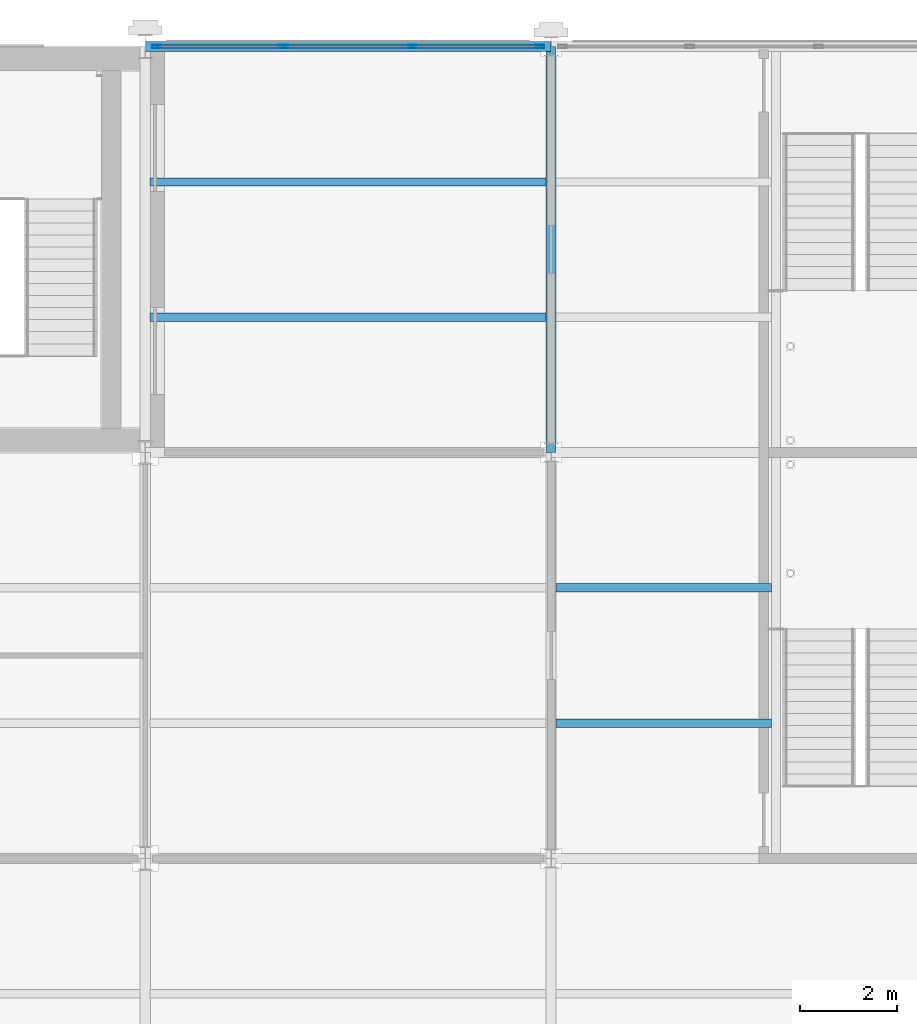
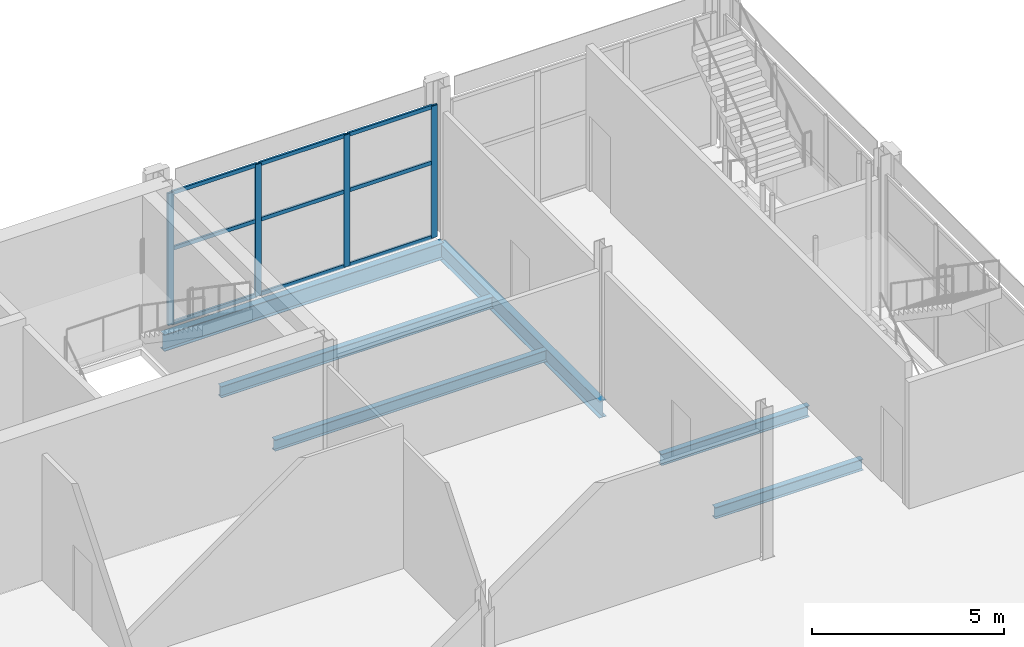
# One storey, part 130 of 167: 13 members, 6 beams, 1 element without a shape of its own.
"""IFC4 building model written with IfcOpenShell, lengths in metres."""

from ifc_helpers import new_model, si_unit, direction, frame, origin, origin_2d, place, context, subcontext, project, spatial, hollow_rectangle, i_section, extrude, material, material_profile, profile_set, type_object, element, aggregate, save


model = new_model("IFC4")

# Units and contexts
model_context = context("Model", 3, precision=1e-05, world=origin(), true_north=direction((0.0, 1.0)))
body_context = subcontext(model_context, "Body", "Model", "MODEL_VIEW")
ifc_project = project(units=[si_unit("LENGTHUNIT", "METRE"), si_unit("AREAUNIT", "SQUARE_METRE"), si_unit("VOLUMEUNIT", "CUBIC_METRE"), si_unit("PLANEANGLEUNIT", "RADIAN"), si_unit("MASSUNIT", "GRAM", prefix="KILO")], contexts=[model_context])

# Site, building, storey
site_placement = place(None, origin())
site = spatial("IfcSite", under=ifc_project, at=site_placement, CompositionType="ELEMENT")
building_placement = place(site_placement, origin())
building = spatial("IfcBuilding", under=site, at=building_placement, Name="Catenary Quay Ferry Terminal", CompositionType="ELEMENT")
storey_placement = place(building_placement, frame((0.0, 0.0, 6.0)))
storey = spatial("IfcBuildingStorey", under=building, at=storey_placement, Name="L01", CompositionType="ELEMENT", Elevation=6.0)

# Beams
ifc_material_1 = material(Name="Steel S355", Category="steel")
ifc_material_profile_1 = material_profile(ifc_material_1, i_section(OverallWidth=0.208740234375, OverallDepth=0.5283203125, WebThickness=0.009521484375, FlangeThickness=0.01318359375, at=origin_2d()), Name="UB 533x210x82")
ifc_profile_set_1 = profile_set([ifc_material_profile_1], Name="Steel S355")
beam_type_1 = type_object("IfcBeamType", Name="B5 UB 533x210x82", PredefinedType="BEAM", material=ifc_profile_set_1)
beam_1_placement = place(storey_placement, frame((50.39990234375, 210.0, -0.464111328125), z_axis=(1.0, 0.0, 0.0), x_axis=(0.0, 1.0, 0.0)))
element("IfcBeam", 1, at=beam_1_placement, inside=storey, type_object=beam_type_1, Name="Beam B5-020", PredefinedType="BEAM", context=body_context, shape_type="SweptSolid", body=[
    extrude(i_section(OverallWidth=0.208740234375, OverallDepth=0.5283203125, WebThickness=0.009521484375, FlangeThickness=0.01318359375, at=origin_2d()), origin(), (0.0, 0.0, 1.0), 8.400146484375),
])
beam_2_placement = place(storey_placement, frame((58.800048828125, 201.60009765625, -0.464111328125), z_axis=(0.0, 1.0, 0.0), x_axis=(-1.0, 0.0, 0.0)))
element("IfcBeam", 2, at=beam_2_placement, inside=storey, type_object=beam_type_1, Name="Beam B5-049", PredefinedType="BEAM", context=body_context, shape_type="SweptSolid", body=[
    extrude(i_section(OverallWidth=0.208740234375, OverallDepth=0.5283203125, WebThickness=0.009521484375, FlangeThickness=0.01318359375, at=origin_2d()), origin(), (0.0, 0.0, 1.0), 8.39990234375),
])
ifc_material_2 = material(Name="Steel S355", Category="steel")
ifc_material_profile_2 = material_profile(ifc_material_2, i_section(OverallWidth=0.169921875, OverallDepth=0.360107421875, WebThickness=0.008056640625, FlangeThickness=0.0126953125, at=origin_2d()), Name="IPE 360")
ifc_profile_set_2 = profile_set([ifc_material_profile_2], Name="Steel S355")
beam_type_2 = type_object("IfcBeamType", Name="B7 IPE 360", PredefinedType="BEAM", material=ifc_profile_set_2)
for number, where, z_axis, x_axis, name in (
    (3, (58.904052734375, 196.0, -0.3798828125), (1.0, 0.0, 0.0), (0.0, 1.0, 0.0), "Beam B7-063"),
    (4, (58.904052734375, 198.800048828125, -0.3798828125), (1.0, 0.0, 0.0), (0.0, 1.0, 0.0), "Beam B7-068"),
):
    element("IfcBeam", number, at=place(storey_placement, frame(where, z_axis=z_axis, x_axis=x_axis)), inside=storey, type_object=beam_type_2, Name=name, PredefinedType="BEAM", context=body_context, shape_type="SweptSolid", body=[
        extrude(i_section(OverallWidth=0.169921875, OverallDepth=0.360107421875, WebThickness=0.008056640625, FlangeThickness=0.0126953125, at=origin_2d()), origin(), (0.0, 0.0, 1.0), 4.450927734375),
    ])
for number, where, z_axis, x_axis, name in (
    (5, (50.50390625, 204.39990234375, -0.3798828125), (1.0, 0.0, 0.0), (0.0, 1.0, 0.0), "Beam B7-069"),
    (6, (50.50390625, 207.199951171875, -0.3798828125), (1.0, 0.0, 0.0), (0.0, 1.0, 0.0), "Beam B7-071"),
):
    element("IfcBeam", number, at=place(storey_placement, frame(where, z_axis=z_axis, x_axis=x_axis)), inside=storey, type_object=beam_type_2, Name=name, PredefinedType="BEAM", context=body_context, shape_type="SweptSolid", body=[
        extrude(i_section(OverallWidth=0.169921875, OverallDepth=0.360107421875, WebThickness=0.008056640625, FlangeThickness=0.0126953125, at=origin_2d()), origin(), (0.0, 0.0, 1.0), 8.192138671875),
    ])

# Curtain wall, members
ifc_material_3 = material(Name="Aluminium and glass", Category="aluminium")
curtain_wall_type = type_object("IfcCurtainWallType", Name="CWW2", PredefinedType="NOTDEFINED", material=ifc_material_3)
curtain_wall_placement = place(storey_placement, origin())
curtain_wall = element("IfcCurtainWall", 7, at=curtain_wall_placement, inside=storey, type_object=curtain_wall_type, Name="Wing curtain wall CW122", PredefinedType="NOTDEFINED")
ifc_material_4 = material(Name="Aluminium", Category="aluminium")
ifc_material_profile_3 = material_profile(ifc_material_4, hollow_rectangle(XDim=0.070068359375, YDim=0.179931640625, WallThickness=0.006103515625, at=origin_2d()), Name="MU3")
ifc_profile_set_3 = profile_set([ifc_material_profile_3], Name="Aluminium")
member_type_1 = type_object("IfcMemberType", Name="MU3", PredefinedType="MULLION", material=ifc_profile_set_3)
member_1_placement = place(storey_placement, frame((50.635009765625, 210.0, 0.0), z_axis=(0.0, 0.0, 1.0), x_axis=(0.0, 1.0, 0.0)))
member_1 = element("IfcMember", 8, at=member_1_placement, type_object=member_type_1, Name="CW122 mullion 1", PredefinedType="MULLION", context=body_context, shape_type="SweptSolid", body=[
    extrude(hollow_rectangle(XDim=0.070068359375, YDim=0.179931640625, WallThickness=0.006103515625, at=origin_2d()), origin(), (0.0, 0.0, 1.0), 4.199951171875),
])
member_2_placement = place(storey_placement, frame((53.2666015625, 210.0, 0.0), z_axis=(0.0, 0.0, 1.0), x_axis=(0.0, 1.0, 0.0)))
member_2 = element("IfcMember", 9, at=member_2_placement, type_object=member_type_1, Name="CW122 mullion 2", PredefinedType="MULLION", context=body_context, shape_type="SweptSolid", body=[
    extrude(hollow_rectangle(XDim=0.070068359375, YDim=0.179931640625, WallThickness=0.006103515625, at=origin_2d()), origin(), (0.0, 0.0, 1.0), 4.199951171875),
])
member_3_placement = place(storey_placement, frame((55.933349609375, 210.0, 0.0), z_axis=(0.0, 0.0, 1.0), x_axis=(0.0, 1.0, 0.0)))
member_3 = element("IfcMember", 10, at=member_3_placement, type_object=member_type_1, Name="CW122 mullion 3", PredefinedType="MULLION", context=body_context, shape_type="SweptSolid", body=[
    extrude(hollow_rectangle(XDim=0.070068359375, YDim=0.179931640625, WallThickness=0.006103515625, at=origin_2d()), origin(), (0.0, 0.0, 1.0), 4.199951171875),
])
member_4_placement = place(storey_placement, frame((58.56494140625, 210.0, 0.0), z_axis=(0.0, 0.0, 1.0), x_axis=(0.0, 1.0, 0.0)))
member_4 = element("IfcMember", 11, at=member_4_placement, type_object=member_type_1, Name="CW122 mullion 4", PredefinedType="MULLION", context=body_context, shape_type="SweptSolid", body=[
    extrude(hollow_rectangle(XDim=0.070068359375, YDim=0.179931640625, WallThickness=0.006103515625, at=origin_2d()), origin(), (0.0, 0.0, 1.0), 4.199951171875),
])
ifc_material_5 = material(Name="Aluminium", Category="aluminium")
ifc_material_profile_4 = material_profile(ifc_material_5, hollow_rectangle(XDim=0.06005859375, YDim=0.1201171875, WallThickness=0.0048828125, at=origin_2d()), Name="TR3")
ifc_profile_set_4 = profile_set([ifc_material_profile_4], Name="Aluminium")
member_type_2 = type_object("IfcMemberType", Name="TR3", PredefinedType="USERDEFINED", material=ifc_profile_set_4)
member_5_placement = place(storey_placement, frame((50.669921875, 210.0, 0.030029296875), z_axis=(1.0, 0.0, 0.0), x_axis=(0.0, 1.0, 0.0)))
member_5 = element("IfcMember", 12, at=member_5_placement, type_object=member_type_2, Name="CW122 transom 1.1", ObjectType="TRANSOM", PredefinedType="USERDEFINED", context=body_context, shape_type="SweptSolid", body=[
    extrude(hollow_rectangle(XDim=0.06005859375, YDim=0.1201171875, WallThickness=0.0048828125, at=origin_2d()), origin(), (0.0, 0.0, 1.0), 2.561767578125),
])
member_6_placement = place(storey_placement, frame((50.669921875, 210.0, 2.39990234375), z_axis=(1.0, 0.0, 0.0), x_axis=(0.0, 1.0, 0.0)))
member_6 = element("IfcMember", 13, at=member_6_placement, type_object=member_type_2, Name="CW122 transom 1.2", ObjectType="TRANSOM", PredefinedType="USERDEFINED", context=body_context, shape_type="SweptSolid", body=[
    extrude(hollow_rectangle(XDim=0.06005859375, YDim=0.1201171875, WallThickness=0.0048828125, at=origin_2d()), origin(), (0.0, 0.0, 1.0), 2.561767578125),
])
member_7_placement = place(storey_placement, frame((50.669921875, 210.0, 4.169921875), z_axis=(1.0, 0.0, 0.0), x_axis=(0.0, 1.0, 0.0)))
member_7 = element("IfcMember", 14, at=member_7_placement, type_object=member_type_2, Name="CW122 transom 1.3", ObjectType="TRANSOM", PredefinedType="USERDEFINED", context=body_context, shape_type="SweptSolid", body=[
    extrude(hollow_rectangle(XDim=0.06005859375, YDim=0.1201171875, WallThickness=0.0048828125, at=origin_2d()), origin(), (0.0, 0.0, 1.0), 2.561767578125),
])
member_8_placement = place(storey_placement, frame((53.3017578125, 210.0, 0.030029296875), z_axis=(1.0, 0.0, 0.0), x_axis=(0.0, 1.0, 0.0)))
member_8 = element("IfcMember", 15, at=member_8_placement, type_object=member_type_2, Name="CW122 transom 2.1", ObjectType="TRANSOM", PredefinedType="USERDEFINED", context=body_context, shape_type="SweptSolid", body=[
    extrude(hollow_rectangle(XDim=0.06005859375, YDim=0.1201171875, WallThickness=0.0048828125, at=origin_2d()), origin(), (0.0, 0.0, 1.0), 2.5966796875),
])
member_9_placement = place(storey_placement, frame((53.3017578125, 210.0, 2.39990234375), z_axis=(1.0, 0.0, 0.0), x_axis=(0.0, 1.0, 0.0)))
member_9 = element("IfcMember", 16, at=member_9_placement, type_object=member_type_2, Name="CW122 transom 2.2", ObjectType="TRANSOM", PredefinedType="USERDEFINED", context=body_context, shape_type="SweptSolid", body=[
    extrude(hollow_rectangle(XDim=0.06005859375, YDim=0.1201171875, WallThickness=0.0048828125, at=origin_2d()), origin(), (0.0, 0.0, 1.0), 2.5966796875),
])
member_10_placement = place(storey_placement, frame((53.3017578125, 210.0, 4.169921875), z_axis=(1.0, 0.0, 0.0), x_axis=(0.0, 1.0, 0.0)))
member_10 = element("IfcMember", 17, at=member_10_placement, type_object=member_type_2, Name="CW122 transom 2.3", ObjectType="TRANSOM", PredefinedType="USERDEFINED", context=body_context, shape_type="SweptSolid", body=[
    extrude(hollow_rectangle(XDim=0.06005859375, YDim=0.1201171875, WallThickness=0.0048828125, at=origin_2d()), origin(), (0.0, 0.0, 1.0), 2.5966796875),
])
member_11_placement = place(storey_placement, frame((55.96826171875, 210.0, 0.030029296875), z_axis=(1.0, 0.0, 0.0), x_axis=(0.0, 1.0, 0.0)))
member_11 = element("IfcMember", 18, at=member_11_placement, type_object=member_type_2, Name="CW122 transom 3.1", ObjectType="TRANSOM", PredefinedType="USERDEFINED", context=body_context, shape_type="SweptSolid", body=[
    extrude(hollow_rectangle(XDim=0.06005859375, YDim=0.1201171875, WallThickness=0.0048828125, at=origin_2d()), origin(), (0.0, 0.0, 1.0), 2.561767578125),
])
member_12_placement = place(storey_placement, frame((55.96826171875, 210.0, 2.39990234375), z_axis=(1.0, 0.0, 0.0), x_axis=(0.0, 1.0, 0.0)))
member_12 = element("IfcMember", 19, at=member_12_placement, type_object=member_type_2, Name="CW122 transom 3.2", ObjectType="TRANSOM", PredefinedType="USERDEFINED", context=body_context, shape_type="SweptSolid", body=[
    extrude(hollow_rectangle(XDim=0.06005859375, YDim=0.1201171875, WallThickness=0.0048828125, at=origin_2d()), origin(), (0.0, 0.0, 1.0), 2.561767578125),
])
member_13_placement = place(storey_placement, frame((55.96826171875, 210.0, 4.169921875), z_axis=(1.0, 0.0, 0.0), x_axis=(0.0, 1.0, 0.0)))
member_13 = element("IfcMember", 20, at=member_13_placement, type_object=member_type_2, Name="CW122 transom 3.3", ObjectType="TRANSOM", PredefinedType="USERDEFINED", context=body_context, shape_type="SweptSolid", body=[
    extrude(hollow_rectangle(XDim=0.06005859375, YDim=0.1201171875, WallThickness=0.0048828125, at=origin_2d()), origin(), (0.0, 0.0, 1.0), 2.561767578125),
])
aggregate(curtain_wall, [member_1, member_2, member_3, member_4, member_5, member_6, member_7, member_8, member_9, member_10, member_11, member_12, member_13])

save(model, "model.ifc")
